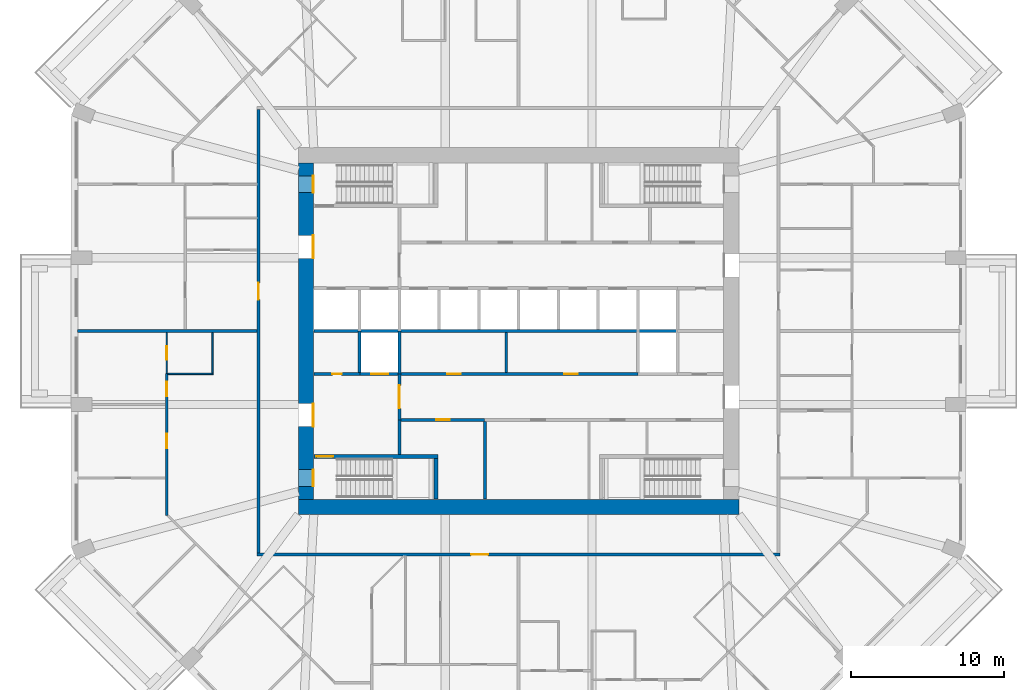
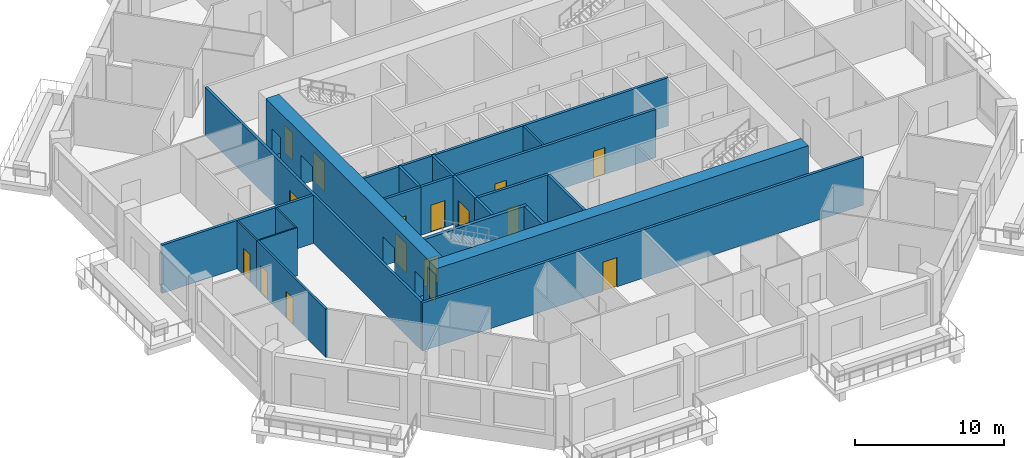
# One storey, part 4 of 13: 22 walls, 16 doors, 16 openings.
"""IFC4 building model written with IfcOpenShell, lengths in metres."""

import ifcopenshell
import ifcopenshell.guid

model = None  # the IFC model being written
_history = None  # IfcOwnerHistory: only IFC2X3 demands one
_inside = {}  # id of a spatial element -> (the spatial element, [elements in it])
_under = {}  # id of a project, library or spatial element -> (it, [spatial elements below it])
_declared = {}  # id of a project -> (the project, [libraries it declares])
_typed = {}  # id of a type object -> (the type object, [elements of that type])
_made_of = {}  # id of a material, layer set ... -> (it, [elements and type objects made of it])


def new_model(schema):
    """Start an empty IFC model of exactly this schema.

    Asked for "IFC4X3", IfcOpenShell would pick the latest addendum, in which some entities
    have other attributes; the version numbers below select the first issue.
    IFC2X3 requires an IfcOwnerHistory on every rooted entity: one is made here for all.
    """
    global model, _history
    if schema == "IFC4X3":
        model = ifcopenshell.file(schema_version=(4, 3, 0, 0))
    else:
        model = ifcopenshell.file(schema=schema)
    _inside.clear()
    _under.clear()
    _declared.clear()
    _typed.clear()
    _made_of.clear()
    _history = None
    if model.schema == "IFC2X3":
        org = make("IfcOrganization", Name="unknown")
        user = make(
            "IfcPersonAndOrganization",
            ThePerson=make("IfcPerson", FamilyName="unknown"),
            TheOrganization=org,
        )
        app = make(
            "IfcApplication",
            ApplicationDeveloper=org,
            Version="unknown",
            ApplicationFullName="unknown",
            ApplicationIdentifier="unknown",
        )
        _history = make(
            "IfcOwnerHistory",
            OwningUser=user,
            OwningApplication=app,
            ChangeAction="ADDED",
            CreationDate=0,
        )
    return model


def make(cls, **values):
    """One entity of the class cls with the attributes given. An attribute that is None is left unset."""
    return model.create_entity(
        cls, **{name: value for name, value in values.items() if value is not None}
    )


def rooted(cls, **values):
    """An entity with a GlobalId (a new one), such as an element, a storey or a relation."""
    return make(cls, GlobalId=ifcopenshell.guid.new(), OwnerHistory=_history, **values)


def si_unit(unit_type, name, prefix=None):
    """IfcSIUnit, for example si_unit("LENGTHUNIT", "METRE", prefix="MILLI")."""
    return make("IfcSIUnit", UnitType=unit_type, Prefix=prefix, Name=name)


def assignment(units):
    """IfcUnitAssignment: the units of a project."""
    return None if units is None else make("IfcUnitAssignment", Units=units)


def point(xyz):
    """IfcCartesianPoint."""
    return None if xyz is None else make("IfcCartesianPoint", Coordinates=xyz)


def direction(xyz):
    """IfcDirection."""
    return None if xyz is None else make("IfcDirection", DirectionRatios=xyz)


def frame(location, z_axis=None, x_axis=None):
    """IfcAxis2Placement3D, a coordinate frame: its origin and axes. An axis left out is left unset."""
    return make(
        "IfcAxis2Placement3D",
        Location=point(location),
        Axis=direction(z_axis),
        RefDirection=direction(x_axis),
    )


def frame_2d(location, x_axis=None):
    """IfcAxis2Placement2D, a coordinate frame in the plane: its origin and x axis."""
    return make(
        "IfcAxis2Placement2D", Location=point(location), RefDirection=direction(x_axis)
    )


def origin():
    """The frame at (0, 0, 0) with its axes left unset."""
    return frame((0.0, 0.0, 0.0))


def place(relative_to, where):
    """IfcLocalPlacement: puts the frame where relative to a parent placement (None: the world)."""
    return make(
        "IfcLocalPlacement", PlacementRelTo=relative_to, RelativePlacement=where
    )


def context(
    kind, dimensions, precision=None, world=None, true_north=None, identifier=None
):
    """IfcGeometricRepresentationContext, for example the 3D "Model" context."""
    return make(
        "IfcGeometricRepresentationContext",
        ContextIdentifier=identifier,
        ContextType=kind,
        CoordinateSpaceDimension=dimensions,
        Precision=precision,
        WorldCoordinateSystem=world,
        TrueNorth=true_north,
    )


def subcontext(parent, identifier, kind, view, scale=None):
    """IfcGeometricRepresentationSubContext, for example "Body" below "Model"."""
    return make(
        "IfcGeometricRepresentationSubContext",
        ContextIdentifier=identifier,
        ContextType=kind,
        ParentContext=parent,
        TargetScale=scale,
        TargetView=view,
    )


def project(units=None, contexts=None):
    """IfcProject with its units and contexts."""
    return rooted(
        "IfcProject",
        Name="project",
        RepresentationContexts=contexts,
        UnitsInContext=assignment(units),
    )


def spatial(cls, under=None, at=None, **own):
    """A site, building, storey or space (cls), placed at a placement, below another one or the project."""
    s = rooted(cls, ObjectPlacement=at, **own)
    if under is not None:
        _under.setdefault(under.id(), (under, []))[1].append(s)
    return s


def profile(cls, at=None, kind="AREA", **sizes):
    """A parametric profile (cls). Its sizes go by their IFC names, for example OverallWidth=200.0."""
    return make(cls, ProfileType=kind, Position=at, **sizes)


def rectangle(**sizes):
    """IfcRectangleProfileDef."""
    return profile("IfcRectangleProfileDef", **sizes)


def extrude(swept, where, along, depth):
    """IfcExtrudedAreaSolid: the profile swept, set in the frame where, extruded along a direction by depth."""
    return make(
        "IfcExtrudedAreaSolid",
        SweptArea=swept,
        Position=where,
        ExtrudedDirection=direction(along),
        Depth=depth,
    )


def shape(context_of_items, identifier, shape_type, items):
    """IfcShapeRepresentation: the items that make up one representation, for example the "Body"."""
    return make(
        "IfcShapeRepresentation",
        ContextOfItems=context_of_items,
        RepresentationIdentifier=identifier,
        RepresentationType=shape_type,
        Items=items,
    )


def material(Name=None, Category=None):
    """IfcMaterial."""
    return make("IfcMaterial", Name=Name, Category=Category)


def layer(
    of_material, thickness, ventilated=None, Name=None, Category=None, Priority=None
):
    """IfcMaterialLayer: one layer of a wall or slab, of a material (None: an air gap)."""
    return make(
        "IfcMaterialLayer",
        Material=of_material,
        LayerThickness=thickness,
        IsVentilated=ventilated,
        Name=Name,
        Category=Category,
        Priority=Priority,
    )


def layer_set(layers, Name=None):
    """IfcMaterialLayerSet."""
    return make("IfcMaterialLayerSet", MaterialLayers=layers, LayerSetName=Name)


def made_of(thing, what):
    """Note that an element or type object is made of a material, layer set ...; save() writes the relation."""
    if what is not None:
        _made_of.setdefault(what.id(), (what, []))[1].append(thing)
    return thing


def type_object(cls, material=None, **own):
    """A type object (cls), such as IfcWallType, which elements share."""
    return made_of(rooted(cls, **own), material)


def element(
    cls,
    number,
    at=None,
    inside=None,
    cuts=None,
    type_object=None,
    material=None,
    context=None,
    identifier="Body",
    shape_type=None,
    held_by="IfcProductDefinitionShape",
    body=None,
    shapes=None,
    **own,
):
    """One element of the class cls, such as IfcWall. Its Tag is "e" and its number.

    at: its placement. inside: the storey or other place that contains it. cuts: it is an
    opening in that element (IfcRelVoidsElement). A single representation is given by context,
    identifier, shape_type and body (its items); several are given by shapes. held_by: the class
    of the entity that holds the representations. save() writes the other relations.
    """
    e = rooted(cls, Tag="e%d" % number, ObjectPlacement=at, **own)
    if body is not None:
        shapes = [shape(context, identifier, shape_type, body)]
    if shapes is not None:
        e.Representation = make(held_by, Representations=shapes)
    if inside is not None:
        _inside.setdefault(inside.id(), (inside, []))[1].append(e)
    if cuts is not None:
        rooted(
            "IfcRelVoidsElement", RelatingBuildingElement=cuts, RelatedOpeningElement=e
        )
    if type_object is not None:
        _typed.setdefault(type_object.id(), (type_object, []))[1].append(e)
    return made_of(e, material)


def fill(opening, filler):
    """IfcRelFillsElement: the door or window that sits in an opening."""
    return rooted(
        "IfcRelFillsElement",
        RelatingOpeningElement=opening,
        RelatedBuildingElement=filler,
    )


def aggregate(whole, parts):
    """IfcRelAggregates: a whole, such as a stair, and the parts it consists of."""
    return rooted("IfcRelAggregates", RelatingObject=whole, RelatedObjects=parts)


def save(model, path):
    """Write the relations noted so far, then the file.

    IfcRelAggregates (storeys below a building ...), IfcRelContainedInSpatialStructure (elements
    in a storey), IfcRelDefinesByType, IfcRelAssociatesMaterial and IfcRelDeclares: one each for
    every whole, place, type object, material and project.
    """
    for whole, parts in _under.values():
        aggregate(whole, parts)
    for where, things in _inside.values():
        rooted(
            "IfcRelContainedInSpatialStructure",
            RelatedElements=things,
            RelatingStructure=where,
        )
    for kind, things in _typed.values():
        rooted("IfcRelDefinesByType", RelatedObjects=things, RelatingType=kind)
    for what, things in _made_of.values():
        rooted("IfcRelAssociatesMaterial", RelatedObjects=things, RelatingMaterial=what)
    for by, libraries in _declared.values():
        rooted("IfcRelDeclares", RelatingContext=by, RelatedDefinitions=libraries)
    model.write(path)


model = new_model("IFC4")

# Units and contexts
model_context = context("Model", 3, precision=1e-05, world=origin(), true_north=direction((0.0, 1.0)))
body_context = subcontext(model_context, "Body", "Model", "MODEL_VIEW")
ifc_project = project(units=[si_unit("LENGTHUNIT", "METRE"), si_unit("AREAUNIT", "SQUARE_METRE"), si_unit("VOLUMEUNIT", "CUBIC_METRE"), si_unit("PLANEANGLEUNIT", "RADIAN"), si_unit("MASSUNIT", "GRAM", prefix="KILO")], contexts=[model_context])

# Site, building, storey
site_placement = place(None, origin())
site = spatial("IfcSite", under=ifc_project, at=site_placement, CompositionType="ELEMENT")
building_placement = place(site_placement, origin())
building = spatial("IfcBuilding", under=site, at=building_placement, Name="Msitu Wima Residences", CompositionType="ELEMENT")
storey_placement = place(building_placement, frame((0.0, 0.0, 42.300048828125)))
storey = spatial("IfcBuildingStorey", under=building, at=storey_placement, Name="L09", CompositionType="ELEMENT", Elevation=42.300048828125)

# Wall
ifc_material_1 = material(Name="Concrete C80/95", Category="concrete")
ifc_layer_1 = layer(ifc_material_1, 1.0)
ifc_layer_set_1 = layer_set([ifc_layer_1], Name="Concrete C80/95")
wall_type_1 = type_object("IfcWallType", Name="Core wall CW1000 C80/95", PredefinedType="SHEAR", material=ifc_layer_set_1)
wall_1_placement = place(storey_placement, frame((-14.39990234375, -11.5, 0.0), z_axis=(0.0, 0.0, 1.0), x_axis=(1.0, 0.0, 0.0)))
element("IfcWall", 1, at=wall_1_placement, inside=storey, type_object=wall_type_1, Name="Core wall", PredefinedType="SHEAR", context=body_context, shape_type="SweptSolid", body=[
    extrude(rectangle(XDim=28.7998046875, YDim=1.0, at=frame_2d((14.39990234375, 0.0))), origin(), (0.0, 0.0, 1.0), 4.199951171875),
])

# Wall, openings, doors
wall_2_placement = place(storey_placement, frame((-13.89990234375, -11.0, 0.0), z_axis=(0.0, 0.0, 1.0), x_axis=(0.0, 1.0, 0.0)))
wall_2 = element("IfcWall", 2, at=wall_2_placement, inside=storey, type_object=wall_type_1, Name="Core wall", PredefinedType="SHEAR", context=body_context, shape_type="SweptSolid", body=[
    extrude(rectangle(XDim=22.0, YDim=1.0, at=frame_2d((11.0, 0.0))), origin(), (0.0, 0.0, 1.0), 4.199951171875),
])
opening_1_placement = place(wall_2_placement, frame((20.050048828125, 0.0, 0.0)))
opening_1 = element("IfcOpeningElement", 3, at=opening_1_placement, cuts=wall_2, Name="Opening D08-10.035", PredefinedType="OPENING", context=body_context, shape_type="SweptSolid", body=[
    extrude(rectangle(XDim=1.10009765625, YDim=2.199951171875, at=frame_2d((0.550048828125, 1.10009765625))), frame((0.0, 0.510009765625, 0.0), z_axis=(0.0, -1.0, 0.0), x_axis=(1.0, 0.0, 0.0)), (0.0, 0.0, 1.0), 1.02001953125),
])
opening_2_placement = place(wall_2_placement, frame((0.85009765625, 0.0, 0.0)))
opening_2 = element("IfcOpeningElement", 4, at=opening_2_placement, cuts=wall_2, Name="Opening D08-10.037", PredefinedType="OPENING", context=body_context, shape_type="SweptSolid", body=[
    extrude(rectangle(XDim=1.10009765625, YDim=2.199951171875, at=frame_2d((0.550048828125, 1.10009765625))), frame((0.0, 0.510009765625, 0.0), z_axis=(0.0, -1.0, 0.0), x_axis=(1.0, 0.0, 0.0)), (0.0, 0.0, 1.0), 1.02001953125),
])
opening_3_placement = place(wall_2_placement, frame((15.75, 0.0, 0.0)))
opening_3 = element("IfcOpeningElement", 5, at=opening_3_placement, cuts=wall_2, Name="Opening D08-10.016", PredefinedType="OPENING", context=body_context, shape_type="SweptSolid", body=[
    extrude(rectangle(XDim=1.5, YDim=2.39990234375, at=frame_2d((0.75, 1.199951171875))), frame((0.0, 0.510009765625, 0.0), z_axis=(0.0, -1.0, 0.0), x_axis=(1.0, 0.0, 0.0)), (0.0, 0.0, 1.0), 1.02001953125),
])
opening_4_placement = place(wall_2_placement, frame((4.75, 0.0, 0.0)))
opening_4 = element("IfcOpeningElement", 6, at=opening_4_placement, cuts=wall_2, Name="Opening D08-10.018", PredefinedType="OPENING", context=body_context, shape_type="SweptSolid", body=[
    extrude(rectangle(XDim=1.5, YDim=2.39990234375, at=frame_2d((0.75, 1.199951171875))), frame((0.0, 0.510009765625, 0.0), z_axis=(0.0, -1.0, 0.0), x_axis=(1.0, 0.0, 0.0)), (0.0, 0.0, 1.0), 1.02001953125),
])
ifc_material_2 = material(Name="Steel framed glazed door, fire resisting", Category="steel")
door_type_1 = type_object("IfcDoorType", Name="Lobby door D07 1500x2400", OperationType="DOUBLE_DOOR_SINGLE_SWING", PredefinedType="DOOR", material=ifc_material_2)
door_1_placement = place(opening_3_placement, origin())
door_1 = element("IfcDoor", 7, at=door_1_placement, inside=storey, type_object=door_type_1, Name="Lobby door", OperationType="DOUBLE_DOOR_SINGLE_SWING", OverallHeight=2.39990234375, OverallWidth=1.5, PredefinedType="DOOR", context=body_context, shape_type="SweptSolid", body=[
    extrude(rectangle(XDim=1.5, YDim=2.39990234375, at=frame_2d((0.75, 1.199951171875))), frame((0.0, -0.44482421875, 0.0), z_axis=(0.0, -1.0, 0.0), x_axis=(1.0, 0.0, 0.0)), (0.0, 0.0, 1.0), 0.050048828125),
])
fill(opening_3, door_1)
door_2_placement = place(opening_4_placement, origin())
door_2 = element("IfcDoor", 8, at=door_2_placement, inside=storey, type_object=door_type_1, Name="Lobby door", OperationType="DOUBLE_DOOR_SINGLE_SWING", OverallHeight=2.39990234375, OverallWidth=1.5, PredefinedType="DOOR", context=body_context, shape_type="SweptSolid", body=[
    extrude(rectangle(XDim=1.5, YDim=2.39990234375, at=frame_2d((0.75, 1.199951171875))), frame((0.0, -0.44482421875, 0.0), z_axis=(0.0, -1.0, 0.0), x_axis=(1.0, 0.0, 0.0)), (0.0, 0.0, 1.0), 0.050048828125),
])
fill(opening_4, door_2)
ifc_material_3 = material(Name="Steel door, fire resisting, panic bar", Category="steel")
door_type_2 = type_object("IfcDoorType", Name="Stair door D06 1100x2200", OperationType="SINGLE_SWING_LEFT", PredefinedType="DOOR", material=ifc_material_3)
door_3_placement = place(opening_1_placement, origin())
door_3 = element("IfcDoor", 9, at=door_3_placement, inside=storey, type_object=door_type_2, Name="Stair door", OperationType="SINGLE_SWING_RIGHT", OverallHeight=2.199951171875, OverallWidth=1.10009765625, PredefinedType="DOOR", context=body_context, shape_type="SweptSolid", body=[
    extrude(rectangle(XDim=1.10009765625, YDim=2.199951171875, at=frame_2d((0.550048828125, 1.10009765625))), frame((0.0, -0.44482421875, 0.0), z_axis=(0.0, -1.0, 0.0), x_axis=(1.0, 0.0, 0.0)), (0.0, 0.0, 1.0), 0.050048828125),
])
fill(opening_1, door_3)
door_4_placement = place(opening_2_placement, origin())
door_4 = element("IfcDoor", 10, at=door_4_placement, inside=storey, type_object=door_type_2, Name="Stair door", OperationType="SINGLE_SWING_LEFT", OverallHeight=2.199951171875, OverallWidth=1.10009765625, PredefinedType="DOOR", context=body_context, shape_type="SweptSolid", body=[
    extrude(rectangle(XDim=1.10009765625, YDim=2.199951171875, at=frame_2d((0.550048828125, 1.10009765625))), frame((0.0, -0.44482421875, 0.0), z_axis=(0.0, -1.0, 0.0), x_axis=(1.0, 0.0, 0.0)), (0.0, 0.0, 1.0), 0.050048828125),
])
fill(opening_2, door_4)

# Wall, opening, door
ifc_material_4 = material(Name="Plaster")
ifc_layer_2 = layer(ifc_material_4, 0.011962890625, Name="Plaster")
ifc_material_5 = material(Name="Concrete blockwork", Category="masonry")
ifc_layer_3 = layer(ifc_material_5, 0.176025390625, Name="Concrete blockwork")
ifc_layer_4 = layer(ifc_material_4, 0.011962890625, Name="Plaster")
ifc_layer_set_2 = layer_set([ifc_layer_2, ifc_layer_3, ifc_layer_4], Name="Concrete blockwork")
wall_type_2 = type_object("IfcWallType", Name="Corridor wall FW200", PredefinedType="PARTITIONING", material=ifc_layer_set_2)
wall_3_placement = place(storey_placement, frame((-17.0, -14.5, 0.0), z_axis=(0.0, 0.0, 1.0), x_axis=(0.0, 1.0, 0.0)))
wall_3 = element("IfcWall", 11, at=wall_3_placement, inside=storey, type_object=wall_type_2, Name="Corridor wall", PredefinedType="PARTITIONING", context=body_context, shape_type="SweptSolid", body=[
    extrude(rectangle(XDim=29.0, YDim=0.199951171875, at=frame_2d((14.5, 0.0))), origin(), (0.0, 0.0, 1.0), 3.949951171875),
])
opening_5_placement = place(wall_3_placement, frame((16.550048828125, 0.0, 0.0)))
opening_5 = element("IfcOpeningElement", 12, at=opening_5_placement, cuts=wall_3, Name="Opening D08-10.012", PredefinedType="OPENING", context=body_context, shape_type="SweptSolid", body=[
    extrude(rectangle(XDim=1.10009765625, YDim=2.39990234375, at=frame_2d((0.550048828125, 1.199951171875))), frame((0.0, 0.10986328125, 0.0), z_axis=(0.0, -1.0, 0.0), x_axis=(1.0, 0.0, 0.0)), (0.0, 0.0, 1.0), 0.219970703125),
])
ifc_material_6 = material(Name="Timber flush door, fire resisting, self-closing", Category="wood")
door_type_3 = type_object("IfcDoorType", Name="Flat entrance door D01 1100x2400", OperationType="SINGLE_SWING_LEFT", PredefinedType="DOOR", material=ifc_material_6)
door_5_placement = place(opening_5_placement, origin())
door_5 = element("IfcDoor", 13, at=door_5_placement, inside=storey, type_object=door_type_3, Name="Flat entrance door", OperationType="SINGLE_SWING_LEFT", OverallHeight=2.39990234375, OverallWidth=1.10009765625, PredefinedType="DOOR", context=body_context, shape_type="SweptSolid", body=[
    extrude(rectangle(XDim=1.10009765625, YDim=2.39990234375, at=frame_2d((0.550048828125, 1.199951171875))), frame((0.0, 0.02490234375, 0.0), z_axis=(0.0, -1.0, 0.0), x_axis=(1.0, 0.0, 0.0)), (0.0, 0.0, 1.0), 0.050048828125),
])
fill(opening_5, door_5)

wall_4_placement = place(storey_placement, frame((-17.10009765625, -14.60009765625, 0.0), z_axis=(0.0, 0.0, 1.0), x_axis=(1.0, 0.0, 0.0)))
wall_4 = element("IfcWall", 14, at=wall_4_placement, inside=storey, type_object=wall_type_2, Name="Corridor wall", PredefinedType="PARTITIONING", context=body_context, shape_type="SweptSolid", body=[
    extrude(rectangle(XDim=34.2001953125, YDim=0.199951171875, at=frame_2d((17.10009765625, 0.0))), origin(), (0.0, 0.0, 1.0), 3.949951171875),
])
opening_6_placement = place(wall_4_placement, frame((14.0, 0.0, 0.0)))
opening_6 = element("IfcOpeningElement", 15, at=opening_6_placement, cuts=wall_4, Name="Opening D08-10.013", PredefinedType="OPENING", context=body_context, shape_type="SweptSolid", body=[
    extrude(rectangle(XDim=1.10009765625, YDim=2.39990234375, at=frame_2d((0.550048828125, 1.199951171875))), frame((0.0, 0.10986328125, 0.0), z_axis=(0.0, -1.0, 0.0), x_axis=(1.0, 0.0, 0.0)), (0.0, 0.0, 1.0), 0.219970703125),
])
door_6_placement = place(opening_6_placement, origin())
door_6 = element("IfcDoor", 16, at=door_6_placement, inside=storey, type_object=door_type_3, Name="Flat entrance door", OperationType="SINGLE_SWING_LEFT", OverallHeight=2.39990234375, OverallWidth=1.10009765625, PredefinedType="DOOR", context=body_context, shape_type="SweptSolid", body=[
    extrude(rectangle(XDim=1.10009765625, YDim=2.39990234375, at=frame_2d((0.550048828125, 1.199951171875))), frame((0.0, 0.02490234375, 0.0), z_axis=(0.0, -1.0, 0.0), x_axis=(1.0, 0.0, 0.0)), (0.0, 0.0, 1.0), 0.050048828125),
])
fill(opening_6, door_6)

# Wall, openings, doors
wall_5_placement = place(storey_placement, frame((-7.820068359375, -2.800048828125, 0.0), z_axis=(0.0, 0.0, 1.0), x_axis=(1.0, 0.0, 0.0)))
wall_5 = element("IfcWall", 17, at=wall_5_placement, inside=storey, type_object=wall_type_2, Name="Corridor wall", PredefinedType="PARTITIONING", context=body_context, shape_type="SweptSolid", body=[
    extrude(rectangle(XDim=15.64013671875, YDim=0.199951171875, at=frame_2d((7.820068359375, 0.0))), origin(), (0.0, 0.0, 1.0), 3.949951171875),
])
opening_7_placement = place(wall_5_placement, frame((3.14990234375, 0.0, 0.0)))
opening_7 = element("IfcOpeningElement", 18, at=opening_7_placement, cuts=wall_5, Name="Opening D08-10.033", PredefinedType="OPENING", context=body_context, shape_type="SweptSolid", body=[
    extrude(rectangle(XDim=0.89990234375, YDim=2.199951171875, at=frame_2d((0.449951171875, 1.10009765625))), frame((0.0, 0.10986328125, 0.0), z_axis=(0.0, -1.0, 0.0), x_axis=(1.0, 0.0, 0.0)), (0.0, 0.0, 1.0), 0.219970703125),
])
opening_8_placement = place(wall_5_placement, frame((10.800048828125, 0.0, 0.0)))
opening_8 = element("IfcOpeningElement", 19, at=opening_8_placement, cuts=wall_5, Name="Opening D08-10.034", PredefinedType="OPENING", context=body_context, shape_type="SweptSolid", body=[
    extrude(rectangle(XDim=0.89990234375, YDim=2.199951171875, at=frame_2d((0.449951171875, 1.10009765625))), frame((0.0, 0.10986328125, 0.0), z_axis=(0.0, -1.0, 0.0), x_axis=(1.0, 0.0, 0.0)), (0.0, 0.0, 1.0), 0.219970703125),
])
ifc_material_7 = material(Name="Timber flush door", Category="wood")
door_type_4 = type_object("IfcDoorType", Name="Service door D05 900x2200", OperationType="SINGLE_SWING_LEFT", PredefinedType="DOOR", material=ifc_material_7)
door_7_placement = place(opening_7_placement, origin())
door_7 = element("IfcDoor", 20, at=door_7_placement, inside=storey, type_object=door_type_4, Name="Service door", OperationType="SINGLE_SWING_RIGHT", OverallHeight=2.199951171875, OverallWidth=0.89990234375, PredefinedType="DOOR", context=body_context, shape_type="SweptSolid", body=[
    extrude(rectangle(XDim=0.89990234375, YDim=2.199951171875, at=frame_2d((0.449951171875, 1.10009765625))), frame((0.0, 0.02490234375, 0.0), z_axis=(0.0, -1.0, 0.0), x_axis=(1.0, 0.0, 0.0)), (0.0, 0.0, 1.0), 0.050048828125),
])
fill(opening_7, door_7)
door_8_placement = place(opening_8_placement, origin())
door_8 = element("IfcDoor", 21, at=door_8_placement, inside=storey, type_object=door_type_4, Name="Service door", OperationType="SINGLE_SWING_RIGHT", OverallHeight=2.199951171875, OverallWidth=0.89990234375, PredefinedType="DOOR", context=body_context, shape_type="SweptSolid", body=[
    extrude(rectangle(XDim=0.89990234375, YDim=2.199951171875, at=frame_2d((0.449951171875, 1.10009765625))), frame((0.0, 0.02490234375, 0.0), z_axis=(0.0, -1.0, 0.0), x_axis=(1.0, 0.0, 0.0)), (0.0, 0.0, 1.0), 0.050048828125),
])
fill(opening_8, door_8)

# Wall, opening, door
wall_6_placement = place(storey_placement, frame((-7.800048828125, -5.800048828125, 0.0), z_axis=(0.0, 0.0, 1.0), x_axis=(0.0, 1.0, 0.0)))
wall_6 = element("IfcWall", 22, at=wall_6_placement, inside=storey, type_object=wall_type_2, Name="Corridor wall", PredefinedType="PARTITIONING", context=body_context, shape_type="SweptSolid", body=[
    extrude(rectangle(XDim=3.0, YDim=0.199951171875, at=frame_2d((1.5, 0.0))), origin(), (0.0, 0.0, 1.0), 3.949951171875),
])
opening_9_placement = place(wall_6_placement, frame((0.75, 0.0, 0.0)))
opening_9 = element("IfcOpeningElement", 23, at=opening_9_placement, cuts=wall_6, Name="Opening D08-10.019", PredefinedType="OPENING", context=body_context, shape_type="SweptSolid", body=[
    extrude(rectangle(XDim=1.5, YDim=2.39990234375, at=frame_2d((0.75, 1.199951171875))), frame((0.0, 0.10986328125, 0.0), z_axis=(0.0, -1.0, 0.0), x_axis=(1.0, 0.0, 0.0)), (0.0, 0.0, 1.0), 0.219970703125),
])
door_9_placement = place(opening_9_placement, origin())
door_9 = element("IfcDoor", 24, at=door_9_placement, inside=storey, type_object=door_type_1, Name="Lobby door", OperationType="DOUBLE_DOOR_SINGLE_SWING", OverallHeight=2.39990234375, OverallWidth=1.5, PredefinedType="DOOR", context=body_context, shape_type="SweptSolid", body=[
    extrude(rectangle(XDim=1.5, YDim=2.39990234375, at=frame_2d((0.75, 1.199951171875))), frame((0.0, 0.02490234375, 0.0), z_axis=(0.0, -1.0, 0.0), x_axis=(1.0, 0.0, 0.0)), (0.0, 0.0, 1.0), 0.050048828125),
])
fill(opening_9, door_9)

# Wall, openings, doors
ifc_layer_5 = layer(ifc_material_4, 0.011962890625, Name="Plaster")
ifc_layer_6 = layer(ifc_material_5, 0.1259765625, Name="Concrete blockwork")
ifc_layer_7 = layer(ifc_material_4, 0.011962890625, Name="Plaster")
ifc_layer_set_3 = layer_set([ifc_layer_5, ifc_layer_6, ifc_layer_7], Name="Concrete blockwork")
wall_type_3 = type_object("IfcWallType", Name="Partition PW150", PredefinedType="PARTITIONING", material=ifc_layer_set_3)
wall_7_placement = place(storey_placement, frame((-23.0, -12.072509765625, 0.0), z_axis=(0.0, 0.0, 1.0), x_axis=(0.0, 1.0, 0.0)))
wall_7 = element("IfcWall", 25, at=wall_7_placement, inside=storey, type_object=wall_type_3, Name="Partition", PredefinedType="PARTITIONING", context=body_context, shape_type="SweptSolid", body=[
    extrude(rectangle(XDim=9.29248046875, YDim=0.14990234375, at=frame_2d((4.646240234375, 0.0))), origin(), (0.0, 0.0, 1.0), 3.949951171875),
])
opening_10_placement = place(wall_7_placement, frame((4.39990234375, 0.0, 0.0)))
opening_10 = element("IfcOpeningElement", 26, at=opening_10_placement, cuts=wall_7, Name="Opening D08-10.062", PredefinedType="OPENING", context=body_context, shape_type="SweptSolid", body=[
    extrude(rectangle(XDim=0.949951171875, YDim=2.199951171875, at=frame_2d((0.47509765625, 1.10009765625))), frame((0.0, 0.0849609375, 0.0), z_axis=(0.0, -1.0, 0.0), x_axis=(1.0, 0.0, 0.0)), (0.0, 0.0, 1.0), 0.169921875),
])
opening_11_placement = place(wall_7_placement, frame((7.800048828125, 0.0, 0.0)))
opening_11 = element("IfcOpeningElement", 27, at=opening_11_placement, cuts=wall_7, Name="Opening D08-10.067", PredefinedType="OPENING", context=body_context, shape_type="SweptSolid", body=[
    extrude(rectangle(XDim=0.949951171875, YDim=2.199951171875, at=frame_2d((0.47509765625, 1.10009765625))), frame((0.0, 0.0849609375, 0.0), z_axis=(0.0, -1.0, 0.0), x_axis=(1.0, 0.0, 0.0)), (0.0, 0.0, 1.0), 0.169921875),
])
door_type_5 = type_object("IfcDoorType", Name="Room door D12 950x2200", OperationType="SINGLE_SWING_LEFT", PredefinedType="DOOR", material=ifc_material_7)
door_10_placement = place(opening_10_placement, origin())
door_10 = element("IfcDoor", 28, at=door_10_placement, inside=storey, type_object=door_type_5, Name="Room door", OperationType="SINGLE_SWING_RIGHT", OverallHeight=2.199951171875, OverallWidth=0.949951171875, PredefinedType="DOOR", context=body_context, shape_type="SweptSolid", body=[
    extrude(rectangle(XDim=0.949951171875, YDim=2.199951171875, at=frame_2d((0.47509765625, 1.10009765625))), frame((0.0, 0.02490234375, 0.0), z_axis=(0.0, -1.0, 0.0), x_axis=(1.0, 0.0, 0.0)), (0.0, 0.0, 1.0), 0.050048828125),
])
fill(opening_10, door_10)
door_11_placement = place(opening_11_placement, origin())
door_11 = element("IfcDoor", 29, at=door_11_placement, inside=storey, type_object=door_type_5, Name="Room door", OperationType="SINGLE_SWING_LEFT", OverallHeight=2.199951171875, OverallWidth=0.949951171875, PredefinedType="DOOR", context=body_context, shape_type="SweptSolid", body=[
    extrude(rectangle(XDim=0.949951171875, YDim=2.199951171875, at=frame_2d((0.47509765625, 1.10009765625))), frame((0.0, 0.02490234375, 0.0), z_axis=(0.0, -1.0, 0.0), x_axis=(1.0, 0.0, 0.0)), (0.0, 0.0, 1.0), 0.050048828125),
])
fill(opening_11, door_11)

# Walls
wall_8_placement = place(storey_placement, frame((-0.800048828125, -2.699951171875, 0.0), z_axis=(0.0, 0.0, 1.0), x_axis=(0.0, 1.0, 0.0)))
element("IfcWall", 30, at=wall_8_placement, inside=storey, type_object=wall_type_3, Name="Partition", PredefinedType="PARTITIONING", context=body_context, shape_type="SweptSolid", body=[
    extrude(rectangle(XDim=2.599853515625, YDim=0.14990234375, at=frame_2d((1.2998046875, 0.0))), origin(), (0.0, 0.0, 1.0), 3.949951171875),
])
ifc_layer_8 = layer(ifc_material_4, 0.011962890625, Name="Plaster")
ifc_material_8 = material(Name="Dense concrete blockwork", Category="masonry")
ifc_layer_9 = layer(ifc_material_8, 0.176025390625, Name="Dense concrete blockwork")
ifc_layer_10 = layer(ifc_material_4, 0.011962890625, Name="Plaster")
ifc_layer_set_4 = layer_set([ifc_layer_8, ifc_layer_9, ifc_layer_10], Name="Dense concrete blockwork")
wall_type_4 = type_object("IfcWallType", Name="Party wall PW200", PredefinedType="PARTITIONING", material=ifc_layer_set_4)
wall_9_placement = place(storey_placement, frame((-28.85498046875, 0.0, 0.0), z_axis=(0.0, 0.0, 1.0), x_axis=(1.0, 0.0, 0.0)))
element("IfcWall", 31, at=wall_9_placement, inside=storey, type_object=wall_type_4, Name="Party wall", PredefinedType="PARTITIONING", context=body_context, shape_type="SweptSolid", body=[
    extrude(rectangle(XDim=11.7548828125, YDim=0.199951171875, at=frame_2d((5.87744140625, 0.0))), origin(), (0.0, 0.0, 1.0), 3.949951171875),
])

# Wall, opening, door
ifc_layer_11 = layer(ifc_material_4, 0.011962890625, Name="Plaster")
ifc_material_9 = material(Name="Reinforced concrete blockwork", Category="masonry")
ifc_layer_12 = layer(ifc_material_9, 0.176025390625, Name="Reinforced concrete blockwork")
ifc_layer_13 = layer(ifc_material_4, 0.011962890625, Name="Plaster")
ifc_layer_set_5 = layer_set([ifc_layer_11, ifc_layer_12, ifc_layer_13], Name="Reinforced concrete blockwork")
wall_type_5 = type_object("IfcWallType", Name="Plant and riser wall PL200", PredefinedType="PARTITIONING", material=ifc_layer_set_5)
wall_10_placement = place(storey_placement, frame((-13.3701171875, -2.800048828125, 0.0), z_axis=(0.0, 0.0, 1.0), x_axis=(1.0, 0.0, 0.0)))
wall_10 = element("IfcWall", 32, at=wall_10_placement, inside=storey, type_object=wall_type_5, Name="Plant and riser wall", PredefinedType="PARTITIONING", context=body_context, shape_type="SweptSolid", body=[
    extrude(rectangle(XDim=2.990234375, YDim=0.199951171875, at=frame_2d((1.4951171875, 0.0))), origin(), (0.0, 0.0, 1.0), 3.949951171875),
])
opening_12_placement = place(wall_10_placement, frame((1.199951171875, 0.0, 0.0)))
opening_12 = element("IfcOpeningElement", 33, at=opening_12_placement, cuts=wall_10, Name="Opening D08-10.032", PredefinedType="OPENING", context=body_context, shape_type="SweptSolid", body=[
    extrude(rectangle(XDim=0.60009765625, YDim=2.0, at=frame_2d((0.300048828125, 1.0))), frame((0.0, 0.10986328125, 0.0), z_axis=(0.0, -1.0, 0.0), x_axis=(1.0, 0.0, 0.0)), (0.0, 0.0, 1.0), 0.219970703125),
])
ifc_material_10 = material(Name="Steel access door, fire resisting", Category="steel")
door_type_6 = type_object("IfcDoorType", Name="Riser access door D08 600x2000", OperationType="SINGLE_SWING_LEFT", PredefinedType="DOOR", material=ifc_material_10)
door_12_placement = place(opening_12_placement, origin())
door_12 = element("IfcDoor", 34, at=door_12_placement, inside=storey, type_object=door_type_6, Name="Riser access door", OperationType="SINGLE_SWING_RIGHT", OverallHeight=2.0, OverallWidth=0.60009765625, PredefinedType="DOOR", context=body_context, shape_type="SweptSolid", body=[
    extrude(rectangle(XDim=0.60009765625, YDim=2.0, at=frame_2d((0.300048828125, 1.0))), frame((0.0, 0.02490234375, 0.0), z_axis=(0.0, -1.0, 0.0), x_axis=(1.0, 0.0, 0.0)), (0.0, 0.0, 1.0), 0.050048828125),
])
fill(opening_12, door_12)

# Wall
wall_11_placement = place(storey_placement, frame((-7.800048828125, -8.074951171875, 0.0), z_axis=(0.0, 0.0, 1.0), x_axis=(0.0, 1.0, 0.0)))
element("IfcWall", 35, at=wall_11_placement, inside=storey, type_object=wall_type_5, Name="Plant and riser wall", PredefinedType="PARTITIONING", context=body_context, shape_type="SweptSolid", body=[
    extrude(rectangle(XDim=2.27490234375, YDim=0.199951171875, at=frame_2d((1.137451171875, 0.0))), origin(), (0.0, 0.0, 1.0), 3.949951171875),
])

# Wall, opening, door
wall_12_placement = place(storey_placement, frame((-7.699951171875, -5.800048828125, 0.0), z_axis=(0.0, 0.0, 1.0), x_axis=(1.0, 0.0, 0.0)))
wall_12 = element("IfcWall", 36, at=wall_12_placement, inside=storey, type_object=wall_type_5, Name="Plant and riser wall", PredefinedType="PARTITIONING", context=body_context, shape_type="SweptSolid", body=[
    extrude(rectangle(XDim=5.47998046875, YDim=0.199951171875, at=frame_2d((2.739990234375, 0.0))), origin(), (0.0, 0.0, 1.0), 3.949951171875),
])
opening_13_placement = place(wall_12_placement, frame((2.300048828125, 0.0, 0.0)))
opening_13 = element("IfcOpeningElement", 37, at=opening_13_placement, cuts=wall_12, Name="Opening D08-10.025", PredefinedType="OPENING", context=body_context, shape_type="SweptSolid", body=[
    extrude(rectangle(XDim=0.89990234375, YDim=2.199951171875, at=frame_2d((0.449951171875, 1.10009765625))), frame((0.0, 0.10986328125, 0.0), z_axis=(0.0, -1.0, 0.0), x_axis=(1.0, 0.0, 0.0)), (0.0, 0.0, 1.0), 0.219970703125),
])
door_13_placement = place(opening_13_placement, origin())
door_13 = element("IfcDoor", 38, at=door_13_placement, inside=storey, type_object=door_type_4, Name="Service door", OperationType="SINGLE_SWING_LEFT", OverallHeight=2.199951171875, OverallWidth=0.89990234375, PredefinedType="DOOR", context=body_context, shape_type="SweptSolid", body=[
    extrude(rectangle(XDim=0.89990234375, YDim=2.199951171875, at=frame_2d((0.449951171875, 1.10009765625))), frame((0.0, 0.02490234375, 0.0), z_axis=(0.0, -1.0, 0.0), x_axis=(1.0, 0.0, 0.0)), (0.0, 0.0, 1.0), 0.050048828125),
])
fill(opening_13, door_13)

# Walls
wall_13_placement = place(storey_placement, frame((-2.199951171875, -10.969970703125, 0.0), z_axis=(0.0, 0.0, 1.0), x_axis=(0.0, 1.0, 0.0)))
element("IfcWall", 39, at=wall_13_placement, inside=storey, type_object=wall_type_5, Name="Plant and riser wall", PredefinedType="PARTITIONING", context=body_context, shape_type="SweptSolid", body=[
    extrude(rectangle(XDim=5.070068359375, YDim=0.199951171875, at=frame_2d((2.53515625, 0.0))), origin(), (0.0, 0.0, 1.0), 3.949951171875),
])
ifc_material_11 = material(Name="Fire-rated board")
ifc_layer_14 = layer(ifc_material_11, 0.02490234375, Name="Fire-rated board")
ifc_material_12 = material(Name="Light-gauge stud framing with mineral wool")
ifc_layer_15 = layer(ifc_material_12, 0.14990234375, Name="Light-gauge stud framing with mineral wool")
ifc_layer_16 = layer(ifc_material_11, 0.02490234375, Name="Fire-rated board")
ifc_layer_set_6 = layer_set([ifc_layer_14, ifc_layer_15, ifc_layer_16], Name="Light-gauge stud framing with mineral wool")
wall_type_6 = type_object("IfcWallType", Name="Shaft wall SH200", PredefinedType="PARTITIONING", material=ifc_layer_set_6)
wall_14_placement = place(storey_placement, frame((-13.3701171875, 0.0, 0.0), z_axis=(0.0, 0.0, 1.0), x_axis=(1.0, 0.0, 0.0)))
element("IfcWall", 40, at=wall_14_placement, inside=storey, type_object=wall_type_6, Name="Shaft wall", PredefinedType="PARTITIONING", context=body_context, shape_type="SweptSolid", body=[
    extrude(rectangle(XDim=23.77001953125, YDim=0.199951171875, at=frame_2d((11.885009765625, 0.0))), origin(), (0.0, 0.0, 1.0), 3.949951171875),
])
wall_15_placement = place(storey_placement, frame((-10.39990234375, -2.699951171875, 0.0), z_axis=(0.0, 0.0, 1.0), x_axis=(0.0, 1.0, 0.0)))
element("IfcWall", 41, at=wall_15_placement, inside=storey, type_object=wall_type_6, Name="Shaft wall", PredefinedType="PARTITIONING", context=body_context, shape_type="SweptSolid", body=[
    extrude(rectangle(XDim=2.699951171875, YDim=0.199951171875, at=frame_2d((1.35009765625, 0.0))), origin(), (0.0, 0.0, 1.0), 3.949951171875),
])

# Wall, opening, door
wall_16_placement = place(storey_placement, frame((-10.3798828125, -2.800048828125, 0.0), z_axis=(0.0, 0.0, 1.0), x_axis=(1.0, 0.0, 0.0)))
wall_16 = element("IfcWall", 42, at=wall_16_placement, inside=storey, type_object=wall_type_6, Name="Shaft wall", PredefinedType="PARTITIONING", context=body_context, shape_type="SweptSolid", body=[
    extrude(rectangle(XDim=2.559814453125, YDim=0.199951171875, at=frame_2d((1.27978515625, 0.0))), origin(), (0.0, 0.0, 1.0), 3.949951171875),
])
opening_14_placement = place(wall_16_placement, frame((0.75, 0.0, 0.0)))
opening_14 = element("IfcOpeningElement", 43, at=opening_14_placement, cuts=wall_16, Name="Opening LD", PredefinedType="OPENING", context=body_context, shape_type="SweptSolid", body=[
    extrude(rectangle(XDim=1.10009765625, YDim=2.199951171875, at=frame_2d((0.550048828125, 1.10009765625))), frame((0.0, 0.10986328125, 0.0), z_axis=(0.0, -1.0, 0.0), x_axis=(1.0, 0.0, 0.0)), (0.0, 0.0, 1.0), 0.219970703125),
])
ifc_material_13 = material(Name="Stainless steel centre-opening landing door, rated", Category="steel")
door_type_7 = type_object("IfcDoorType", Name="Lift landing door LD 1100x2200", OperationType="DOUBLE_DOOR_SLIDING", PredefinedType="DOOR", material=ifc_material_13)
door_14_placement = place(opening_14_placement, origin())
door_14 = element("IfcDoor", 44, at=door_14_placement, inside=storey, type_object=door_type_7, Name="Lift landing door LD3", OperationType="DOUBLE_DOOR_SLIDING", OverallHeight=2.199951171875, OverallWidth=1.10009765625, PredefinedType="DOOR", context=body_context, shape_type="SweptSolid", body=[
    extrude(rectangle(XDim=1.10009765625, YDim=2.199951171875, at=frame_2d((0.550048828125, 1.10009765625))), frame((0.0, 0.02490234375, 0.0), z_axis=(0.0, -1.0, 0.0), x_axis=(1.0, 0.0, 0.0)), (0.0, 0.0, 1.0), 0.050048828125),
])
fill(opening_14, door_14)

# Wall
wall_17_placement = place(storey_placement, frame((-7.800048828125, -2.800048828125, 0.0), z_axis=(0.0, 0.0, 1.0), x_axis=(0.0, 1.0, 0.0)))
element("IfcWall", 45, at=wall_17_placement, inside=storey, type_object=wall_type_6, Name="Shaft wall", PredefinedType="PARTITIONING", context=body_context, shape_type="SweptSolid", body=[
    extrude(rectangle(XDim=2.800048828125, YDim=0.199951171875, at=frame_2d((1.39990234375, 0.0))), origin(), (0.0, 0.0, 1.0), 3.949951171875),
])

# Wall, opening, door
ifc_material_14 = material(Name="Concrete C50/60", Category="concrete")
ifc_layer_17 = layer(ifc_material_14, 0.25)
ifc_layer_set_7 = layer_set([ifc_layer_17], Name="Concrete C50/60")
wall_type_7 = type_object("IfcWallType", Name="Stair enclosure wall SW250", PredefinedType="SHEAR", material=ifc_layer_set_7)
wall_18_placement = place(storey_placement, frame((-13.3701171875, -8.199951171875, 0.0), z_axis=(0.0, 0.0, 1.0), x_axis=(1.0, 0.0, 0.0)))
wall_18 = element("IfcWall", 46, at=wall_18_placement, inside=storey, type_object=wall_type_7, Name="Stair enclosure wall", PredefinedType="SHEAR", context=body_context, shape_type="SweptSolid", body=[
    extrude(rectangle(XDim=8.09521484375, YDim=0.25, at=frame_2d((4.047607421875, 0.0))), origin(), (0.0, 0.0, 1.0), 3.949951171875),
])
opening_15_placement = place(wall_18_placement, frame((0.14990234375, 0.0, 0.0)))
opening_15 = element("IfcOpeningElement", 47, at=opening_15_placement, cuts=wall_18, Name="Opening D08-10.038", PredefinedType="OPENING", context=body_context, shape_type="SweptSolid", body=[
    extrude(rectangle(XDim=1.10009765625, YDim=2.199951171875, at=frame_2d((0.550048828125, 1.10009765625))), frame((0.0, 0.135009765625, 0.0), z_axis=(0.0, -1.0, 0.0), x_axis=(1.0, 0.0, 0.0)), (0.0, 0.0, 1.0), 0.27001953125),
])
door_15_placement = place(opening_15_placement, origin())
door_15 = element("IfcDoor", 48, at=door_15_placement, inside=storey, type_object=door_type_2, Name="Stair door", OperationType="SINGLE_SWING_RIGHT", OverallHeight=2.199951171875, OverallWidth=1.10009765625, PredefinedType="DOOR", context=body_context, shape_type="SweptSolid", body=[
    extrude(rectangle(XDim=1.10009765625, YDim=2.199951171875, at=frame_2d((0.550048828125, 1.10009765625))), frame((0.0, 0.02490234375, 0.0), z_axis=(0.0, -1.0, 0.0), x_axis=(1.0, 0.0, 0.0)), (0.0, 0.0, 1.0), 0.050048828125),
])
fill(opening_15, door_15)

# Wall
wall_19_placement = place(storey_placement, frame((-5.39990234375, -10.969970703125, 0.0), z_axis=(0.0, 0.0, 1.0), x_axis=(0.0, 1.0, 0.0)))
element("IfcWall", 49, at=wall_19_placement, inside=storey, type_object=wall_type_7, Name="Stair enclosure wall", PredefinedType="SHEAR", context=body_context, shape_type="SweptSolid", body=[
    extrude(rectangle(XDim=2.64501953125, YDim=0.25, at=frame_2d((1.322509765625, 0.0))), origin(), (0.0, 0.0, 1.0), 3.949951171875),
])

# Wall, opening, door
ifc_material_15 = material(Name="Ceramic tiles")
ifc_layer_18 = layer(ifc_material_15, 0.008056640625, Name="Ceramic tiles")
ifc_material_16 = material(Name="Moisture-resistant board")
ifc_layer_19 = layer(ifc_material_16, 0.012451171875, Name="Moisture-resistant board")
ifc_layer_20 = layer(ifc_material_12, 0.06689453125, Name="Light-gauge stud framing with mineral wool")
ifc_layer_21 = layer(ifc_material_16, 0.012451171875, Name="Moisture-resistant board")
ifc_layer_set_8 = layer_set([ifc_layer_18, ifc_layer_19, ifc_layer_20, ifc_layer_21], Name="Light-gauge stud framing with mineral wool")
wall_type_8 = type_object("IfcWallType", Name="Wet wall PW100", PredefinedType="PARTITIONING", material=ifc_layer_set_8)
wall_20_placement = place(storey_placement, frame((-23.0, -2.780029296875, 0.0), z_axis=(0.0, 0.0, 1.0), x_axis=(0.0, 1.0, 0.0)))
wall_20 = element("IfcWall", 50, at=wall_20_placement, inside=storey, type_object=wall_type_8, Name="Wet wall", PredefinedType="PARTITIONING", context=body_context, shape_type="SweptSolid", body=[
    extrude(rectangle(XDim=2.679931640625, YDim=0.10009765625, at=frame_2d((1.33984375, 0.0))), origin(), (0.0, 0.0, 1.0), 3.949951171875),
])
opening_16_placement = place(wall_20_placement, frame((0.89990234375, 0.0, 0.0)))
opening_16 = element("IfcOpeningElement", 51, at=opening_16_placement, cuts=wall_20, Name="Opening D08-10.068", PredefinedType="OPENING", context=body_context, shape_type="SweptSolid", body=[
    extrude(rectangle(XDim=0.89990234375, YDim=2.199951171875, at=frame_2d((0.449951171875, 1.10009765625))), frame((0.0, 0.06005859375, 0.0), z_axis=(0.0, -1.0, 0.0), x_axis=(1.0, 0.0, 0.0)), (0.0, 0.0, 1.0), 0.1201171875),
])
ifc_material_17 = material(Name="Timber flush door, moisture resistant", Category="wood")
door_type_8 = type_object("IfcDoorType", Name="Bathroom door D03 900x2200", OperationType="SINGLE_SWING_LEFT", PredefinedType="DOOR", material=ifc_material_17)
door_16_placement = place(opening_16_placement, origin())
door_16 = element("IfcDoor", 52, at=door_16_placement, inside=storey, type_object=door_type_8, Name="Bathroom door", OperationType="SINGLE_SWING_RIGHT", OverallHeight=2.199951171875, OverallWidth=0.89990234375, PredefinedType="DOOR", context=body_context, shape_type="SweptSolid", body=[
    extrude(rectangle(XDim=0.89990234375, YDim=2.199951171875, at=frame_2d((0.449951171875, 1.10009765625))), frame((0.0, 0.02490234375, 0.0), z_axis=(0.0, -1.0, 0.0), x_axis=(1.0, 0.0, 0.0)), (0.0, 0.0, 1.0), 0.050048828125),
])
fill(opening_16, door_16)

# Walls
wall_21_placement = place(storey_placement, frame((-22.925048828125, -2.800048828125, 0.0), z_axis=(0.0, 0.0, 1.0), x_axis=(1.0, 0.0, 0.0)))
element("IfcWall", 53, at=wall_21_placement, inside=storey, type_object=wall_type_8, Name="Wet wall", PredefinedType="PARTITIONING", context=body_context, shape_type="SweptSolid", body=[
    extrude(rectangle(XDim=2.97509765625, YDim=0.10009765625, at=frame_2d((1.487548828125, 0.0))), origin(), (0.0, 0.0, 1.0), 3.949951171875),
])
wall_22_placement = place(storey_placement, frame((-20.0, -2.75, 0.0), z_axis=(0.0, 0.0, 1.0), x_axis=(0.0, 1.0, 0.0)))
element("IfcWall", 54, at=wall_22_placement, inside=storey, type_object=wall_type_8, Name="Wet wall", PredefinedType="PARTITIONING", context=body_context, shape_type="SweptSolid", body=[
    extrude(rectangle(XDim=2.64990234375, YDim=0.10009765625, at=frame_2d((1.324951171875, 0.0))), origin(), (0.0, 0.0, 1.0), 3.949951171875),
])

save(model, "model.ifc")
